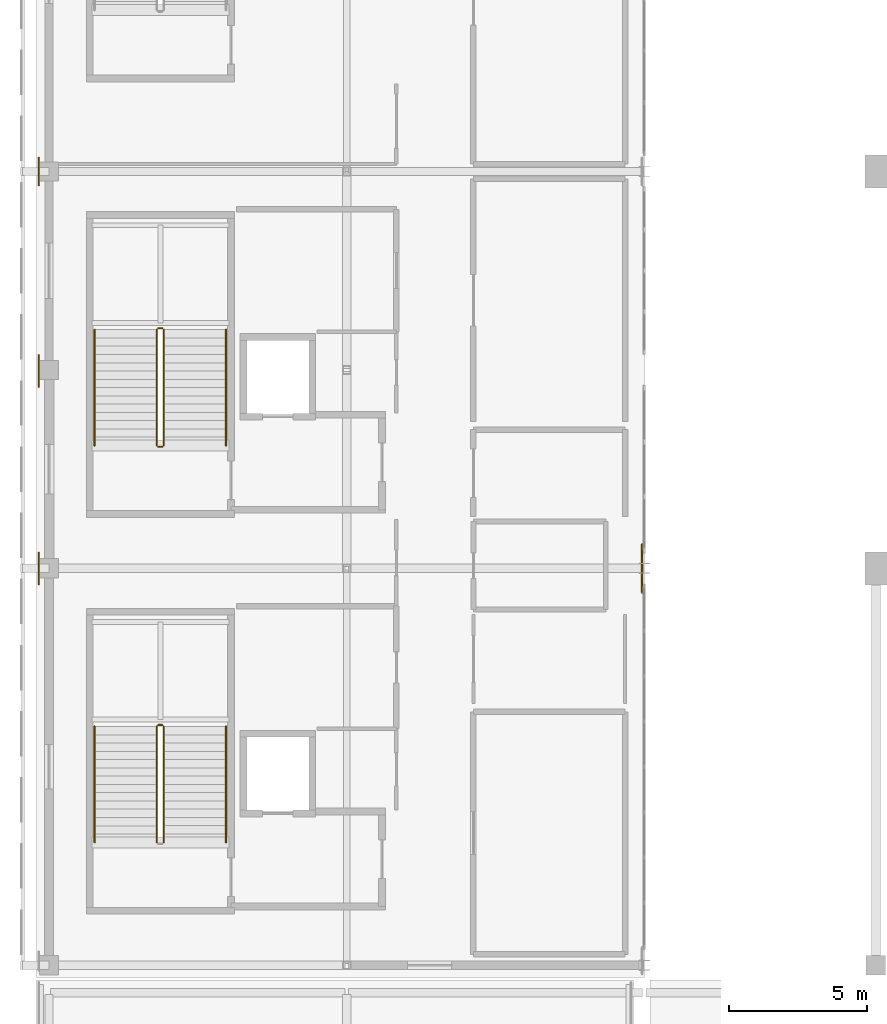
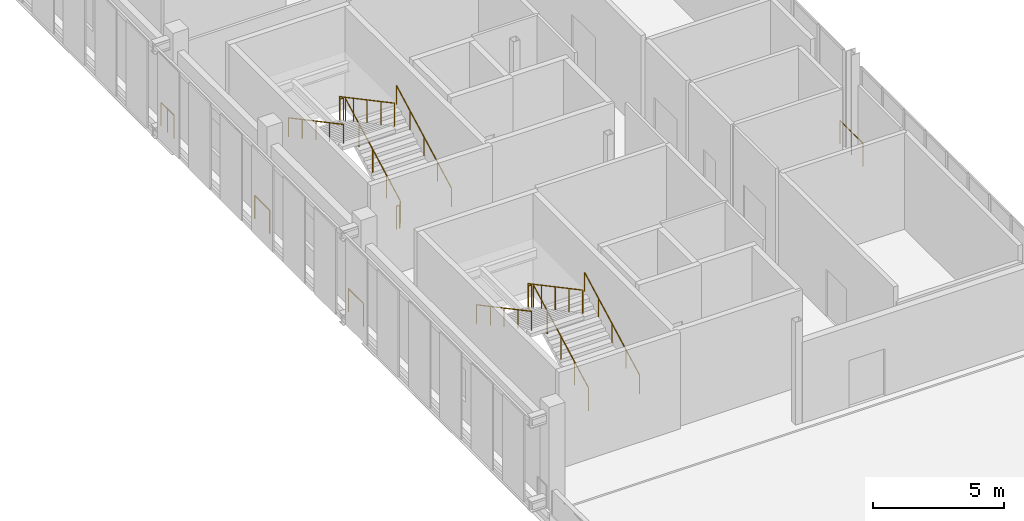
# One storey, part 43 of 51: 16 railings.
"""IFC4 building model written with IfcOpenShell, lengths in metres."""

from ifc_helpers import new_model, si_unit, direction, frame, origin, origin_2d, place, context, subcontext, project, spatial, circle, extrude, material, type_object, element, save


model = new_model("IFC4")

# Units and contexts
model_context = context("Model", 3, precision=1e-05, world=origin(), true_north=direction((0.0, 1.0)))
body_context = subcontext(model_context, "Body", "Model", "MODEL_VIEW")
ifc_project = project(units=[si_unit("LENGTHUNIT", "METRE"), si_unit("AREAUNIT", "SQUARE_METRE"), si_unit("VOLUMEUNIT", "CUBIC_METRE"), si_unit("PLANEANGLEUNIT", "RADIAN"), si_unit("MASSUNIT", "GRAM", prefix="KILO")], contexts=[model_context])

# Site, building, storey
site_placement = place(None, origin())
site = spatial("IfcSite", under=ifc_project, at=site_placement, CompositionType="ELEMENT")
building_placement = place(site_placement, origin())
building = spatial("IfcBuilding", under=site, at=building_placement, Name="Koshinbarg Plaza Stadium", CompositionType="ELEMENT")
storey_placement = place(building_placement, frame((0.0, 0.0, 24.60009765625)))
storey = spatial("IfcBuildingStorey", under=building, at=storey_placement, Name="L05", CompositionType="ELEMENT", Elevation=24.60009765625)

# Railings
ifc_material_1 = material(Name="Toughened laminated glass and stainless steel sightline balustrade", Category="steel")
railing_type_1 = type_object("IfcRailingType", Name="RL-BOWL-1100", PredefinedType="BALUSTRADE", material=ifc_material_1)
for number, where, name in (
    (1, (24.22509765625, 39.3232421875, 0.0), "L05 deck edge safety balustrade 0347"),
    (2, (24.22509765625, 46.48779296875, 0.0), "L05 deck edge safety balustrade 0348"),
):
    element("IfcRailing", number, at=place(storey_placement, frame(where)), inside=storey, type_object=railing_type_1, Name=name, PredefinedType="BALUSTRADE", context=body_context, shape_type="SweptSolid", body=[
        extrude(circle(Radius=0.02392578125, at=origin_2d()), frame((0.0, 0.0, 1.076171875), z_axis=(0.0, 1.0, 0.0), x_axis=(-1.0, 0.0, 0.0)), (0.0, 0.0, 1.0), 1.146240234375),
        extrude(circle(Radius=0.02099609375, at=origin_2d()), origin(), (0.0, 0.0, 1.0), 1.052001953125),
        extrude(circle(Radius=0.02099609375, at=origin_2d()), frame((0.0, 1.146240234375, 0.0)), (0.0, 0.0, 1.0), 1.052001953125),
    ])
railing_1_placement = place(storey_placement, frame((24.22509765625, 53.801513671875, 0.0)))
element("IfcRailing", 3, at=railing_1_placement, inside=storey, type_object=railing_type_1, Name="L05 deck edge safety balustrade 0349", PredefinedType="BALUSTRADE", context=body_context, shape_type="SweptSolid", body=[
    extrude(circle(Radius=0.02392578125, at=origin_2d()), frame((0.0, 0.0, 1.076171875), z_axis=(0.0, 1.0, 0.0), x_axis=(-1.0, 0.0, 0.0)), (0.0, 0.0, 1.0), 0.49853515625),
    extrude(circle(Radius=0.02099609375, at=origin_2d()), origin(), (0.0, 0.0, 1.0), 1.052001953125),
    extrude(circle(Radius=0.02099609375, at=origin_2d()), frame((0.0, 0.49853515625, 0.0)), (0.0, 0.0, 1.0), 1.052001953125),
])
railing_2_placement = place(storey_placement, frame((46.1201171875, 40.76806640625, 0.0)))
element("IfcRailing", 4, at=railing_2_placement, inside=storey, type_object=railing_type_1, Name="L05 deck edge safety balustrade 0351", PredefinedType="BALUSTRADE", context=body_context, shape_type="SweptSolid", body=[
    extrude(circle(Radius=0.02392578125, at=origin_2d()), frame((0.0, 0.0, 1.076171875), z_axis=(0.0, -1.0, 0.0), x_axis=(1.0, 0.0, 0.0)), (0.0, 0.0, 1.0), 1.743408203125),
    extrude(circle(Radius=0.02099609375, at=origin_2d()), origin(), (0.0, 0.0, 1.0), 1.052001953125),
    extrude(circle(Radius=0.02099609375, at=origin_2d()), frame((0.0, -0.87158203125, 0.0)), (0.0, 0.0, 1.0), 1.052001953125),
    extrude(circle(Radius=0.02099609375, at=origin_2d()), frame((0.0, -1.743408203125, 0.0)), (0.0, 0.0, 1.0), 1.052001953125),
])
railing_3_placement = place(storey_placement, frame((24.22509765625, 54.300048828125, 0.0)))
element("IfcRailing", 5, at=railing_3_placement, inside=storey, type_object=railing_type_1, Name="L05 deck edge safety balustrade 0353", PredefinedType="BALUSTRADE", context=body_context, shape_type="SweptSolid", body=[
    extrude(circle(Radius=0.02392578125, at=origin_2d()), frame((0.0, 0.0, 1.076171875), z_axis=(0.0, 1.0, 0.0), x_axis=(-1.0, 0.0, 0.0)), (0.0, 0.0, 1.0), 0.5),
    extrude(circle(Radius=0.02099609375, at=origin_2d()), origin(), (0.0, 0.0, 1.0), 1.052001953125),
    extrude(circle(Radius=0.02099609375, at=origin_2d()), frame((0.0, 0.5, 0.0)), (0.0, 0.0, 1.0), 1.052001953125),
])
ifc_material_2 = material(Name="Galvanized painted steel guardrail", Category="steel")
railing_type_2 = type_object("IfcRailingType", Name="RL-GUARD-1100", PredefinedType="GUARDRAIL", material=ifc_material_2)
railing_4_placement = place(storey_placement, frame((28.760009765625, 29.9599609375, 0.159912109375)))
element("IfcRailing", 6, at=railing_4_placement, inside=storey, type_object=railing_type_2, Name="L05 C01 stair guard 1", PredefinedType="GUARDRAIL", context=body_context, shape_type="SweptSolid", body=[
    extrude(circle(Radius=0.02392578125, at=origin_2d()), frame((0.0, 0.0, 1.076171875), z_axis=(0.0, 0.882351521365, 0.470590897432), x_axis=(-1.0, 0.0, 0.0)), (0.0, 0.0, 1.0), 4.760009765625),
    extrude(circle(Radius=0.02099609375, at=origin_2d()), origin(), (0.0, 0.0, 1.0), 1.052001953125),
    extrude(circle(Radius=0.02099609375, at=origin_2d()), frame((0.0, 1.050048828125, 0.56005859375)), (0.0, 0.0, 1.0), 1.052001953125),
    extrude(circle(Radius=0.02099609375, at=origin_2d()), frame((0.0, 2.10009765625, 1.1201171875)), (0.0, 0.0, 1.0), 1.052001953125),
    extrude(circle(Radius=0.02099609375, at=origin_2d()), frame((0.0, 3.14990234375, 1.679931640625)), (0.0, 0.0, 1.0), 1.052001953125),
    extrude(circle(Radius=0.02099609375, at=origin_2d()), frame((0.0, 4.199951171875, 2.239990234375)), (0.0, 0.0, 1.0), 1.052001953125),
])
railing_5_placement = place(storey_placement, frame((28.7099609375, 34.2099609375, 2.39990234375)))
element("IfcRailing", 7, at=railing_5_placement, inside=storey, type_object=railing_type_2, Name="L05 C01 stair guard 2", PredefinedType="GUARDRAIL", context=body_context, shape_type="SweptSolid", body=[
    extrude(circle(Radius=0.02392578125, at=origin_2d()), frame((0.0, 0.0, 1.076171875), z_axis=(-1.0, 0.0, 0.0), x_axis=(0.0, -1.0, 0.0)), (0.0, 0.0, 1.0), 0.14990234375),
    extrude(circle(Radius=0.02099609375, at=origin_2d()), origin(), (0.0, 0.0, 1.0), 1.052001953125),
    extrude(circle(Radius=0.02099609375, at=origin_2d()), frame((-0.14990234375, 0.0, 0.0)), (0.0, 0.0, 1.0), 1.052001953125),
])
railing_6_placement = place(storey_placement, frame((28.510009765625, 34.159912109375, 2.559814453125)))
element("IfcRailing", 8, at=railing_6_placement, inside=storey, type_object=railing_type_2, Name="L05 C01 stair guard 3", PredefinedType="GUARDRAIL", context=body_context, shape_type="SweptSolid", body=[
    extrude(circle(Radius=0.02392578125, at=origin_2d()), frame((0.0, 0.0, 1.076171875), z_axis=(0.0, -0.882351521365, 0.470590897432), x_axis=(1.0, 0.0, 0.0)), (0.0, 0.0, 1.0), 4.760009765625),
    extrude(circle(Radius=0.02099609375, at=origin_2d()), origin(), (0.0, 0.0, 1.0), 1.052001953125),
    extrude(circle(Radius=0.02099609375, at=origin_2d()), frame((0.0, -1.050048828125, 0.56005859375)), (0.0, 0.0, 1.0), 1.052001953125),
    extrude(circle(Radius=0.02099609375, at=origin_2d()), frame((0.0, -2.10009765625, 1.1201171875)), (0.0, 0.0, 1.0), 1.052001953125),
    extrude(circle(Radius=0.02099609375, at=origin_2d()), frame((0.0, -3.14990234375, 1.679931640625)), (0.0, 0.0, 1.0), 1.052001953125),
    extrude(circle(Radius=0.02099609375, at=origin_2d()), frame((0.0, -4.199951171875, 2.239990234375)), (0.0, 0.0, 1.0), 1.052001953125),
])
railing_7_placement = place(storey_placement, frame((28.760009765625, 44.360107421875, 0.159912109375)))
element("IfcRailing", 9, at=railing_7_placement, inside=storey, type_object=railing_type_2, Name="L05 C02 stair guard 1", PredefinedType="GUARDRAIL", context=body_context, shape_type="SweptSolid", body=[
    extrude(circle(Radius=0.02392578125, at=origin_2d()), frame((0.0, 0.0, 1.076171875), z_axis=(0.0, 0.882351521365, 0.470590897432), x_axis=(-1.0, 0.0, 0.0)), (0.0, 0.0, 1.0), 4.760009765625),
    extrude(circle(Radius=0.02099609375, at=origin_2d()), origin(), (0.0, 0.0, 1.0), 1.052001953125),
    extrude(circle(Radius=0.02099609375, at=origin_2d()), frame((0.0, 1.050048828125, 0.56005859375)), (0.0, 0.0, 1.0), 1.052001953125),
    extrude(circle(Radius=0.02099609375, at=origin_2d()), frame((0.0, 2.10009765625, 1.1201171875)), (0.0, 0.0, 1.0), 1.052001953125),
    extrude(circle(Radius=0.02099609375, at=origin_2d()), frame((0.0, 3.14990234375, 1.679931640625)), (0.0, 0.0, 1.0), 1.052001953125),
    extrude(circle(Radius=0.02099609375, at=origin_2d()), frame((0.0, 4.199951171875, 2.239990234375)), (0.0, 0.0, 1.0), 1.052001953125),
])
railing_8_placement = place(storey_placement, frame((28.7099609375, 48.610107421875, 2.39990234375)))
element("IfcRailing", 10, at=railing_8_placement, inside=storey, type_object=railing_type_2, Name="L05 C02 stair guard 2", PredefinedType="GUARDRAIL", context=body_context, shape_type="SweptSolid", body=[
    extrude(circle(Radius=0.02392578125, at=origin_2d()), frame((0.0, 0.0, 1.076171875), z_axis=(-1.0, 0.0, 0.0), x_axis=(0.0, -1.0, 0.0)), (0.0, 0.0, 1.0), 0.14990234375),
    extrude(circle(Radius=0.02099609375, at=origin_2d()), origin(), (0.0, 0.0, 1.0), 1.052001953125),
    extrude(circle(Radius=0.02099609375, at=origin_2d()), frame((-0.14990234375, 0.0, 0.0)), (0.0, 0.0, 1.0), 1.052001953125),
])
railing_9_placement = place(storey_placement, frame((28.510009765625, 48.56005859375, 2.559814453125)))
element("IfcRailing", 11, at=railing_9_placement, inside=storey, type_object=railing_type_2, Name="L05 C02 stair guard 3", PredefinedType="GUARDRAIL", context=body_context, shape_type="SweptSolid", body=[
    extrude(circle(Radius=0.02392578125, at=origin_2d()), frame((0.0, 0.0, 1.076171875), z_axis=(0.0, -0.882351521365, 0.470590897432), x_axis=(1.0, 0.0, 0.0)), (0.0, 0.0, 1.0), 4.760009765625),
    extrude(circle(Radius=0.02099609375, at=origin_2d()), origin(), (0.0, 0.0, 1.0), 1.052001953125),
    extrude(circle(Radius=0.02099609375, at=origin_2d()), frame((0.0, -1.050048828125, 0.56005859375)), (0.0, 0.0, 1.0), 1.052001953125),
    extrude(circle(Radius=0.02099609375, at=origin_2d()), frame((0.0, -2.10009765625, 1.1201171875)), (0.0, 0.0, 1.0), 1.052001953125),
    extrude(circle(Radius=0.02099609375, at=origin_2d()), frame((0.0, -3.14990234375, 1.679931640625)), (0.0, 0.0, 1.0), 1.052001953125),
    extrude(circle(Radius=0.02099609375, at=origin_2d()), frame((0.0, -4.199951171875, 2.239990234375)), (0.0, 0.0, 1.0), 1.052001953125),
])
railing_10_placement = place(storey_placement, frame((28.7099609375, 44.31005859375, 0.0)))
element("IfcRailing", 12, at=railing_10_placement, inside=storey, type_object=railing_type_2, Name="L05 C02 stair guard 4", PredefinedType="GUARDRAIL", context=body_context, shape_type="SweptSolid", body=[
    extrude(circle(Radius=0.02392578125, at=origin_2d()), frame((0.0, 0.0, 1.076171875), z_axis=(-1.0, 0.0, 0.0), x_axis=(0.0, -1.0, 0.0)), (0.0, 0.0, 1.0), 0.14990234375),
    extrude(circle(Radius=0.02099609375, at=origin_2d()), origin(), (0.0, 0.0, 1.0), 1.052001953125),
    extrude(circle(Radius=0.02099609375, at=origin_2d()), frame((-0.14990234375, 0.0, 0.0)), (0.0, 0.0, 1.0), 1.052001953125),
])
ifc_material_3 = material(Name="Brushed stainless steel handrail", Category="steel")
railing_type_3 = type_object("IfcRailingType", Name="RL-HAND-900", PredefinedType="HANDRAIL", material=ifc_material_3)
railing_11_placement = place(storey_placement, frame((31.02001953125, 29.9599609375, 0.159912109375)))
element("IfcRailing", 13, at=railing_11_placement, inside=storey, type_object=railing_type_3, Name="L05 C01 stair handrail 1", PredefinedType="HANDRAIL", context=body_context, shape_type="SweptSolid", body=[
    extrude(circle(Radius=0.02392578125, at=origin_2d()), frame((0.0, 0.0, 0.8759765625), z_axis=(0.0, 0.882351521365, 0.470590897432), x_axis=(-1.0, 0.0, 0.0)), (0.0, 0.0, 1.0), 4.760009765625),
    extrude(circle(Radius=0.02099609375, at=origin_2d()), origin(), (0.0, 0.0, 1.0), 0.851806640625),
    extrude(circle(Radius=0.02099609375, at=origin_2d()), frame((0.0, 1.050048828125, 0.56005859375)), (0.0, 0.0, 1.0), 0.851806640625),
    extrude(circle(Radius=0.02099609375, at=origin_2d()), frame((0.0, 2.10009765625, 1.1201171875)), (0.0, 0.0, 1.0), 0.851806640625),
    extrude(circle(Radius=0.02099609375, at=origin_2d()), frame((0.0, 3.14990234375, 1.679931640625)), (0.0, 0.0, 1.0), 0.851806640625),
    extrude(circle(Radius=0.02099609375, at=origin_2d()), frame((0.0, 4.199951171875, 2.239990234375)), (0.0, 0.0, 1.0), 0.851806640625),
])
railing_12_placement = place(storey_placement, frame((26.25, 34.159912109375, 2.559814453125)))
element("IfcRailing", 14, at=railing_12_placement, inside=storey, type_object=railing_type_3, Name="L05 C01 stair handrail 2", PredefinedType="HANDRAIL", context=body_context, shape_type="SweptSolid", body=[
    extrude(circle(Radius=0.02392578125, at=origin_2d()), frame((0.0, 0.0, 0.8759765625), z_axis=(0.0, -0.882351521365, 0.470590897432), x_axis=(1.0, 0.0, 0.0)), (0.0, 0.0, 1.0), 4.760009765625),
    extrude(circle(Radius=0.02099609375, at=origin_2d()), origin(), (0.0, 0.0, 1.0), 0.851806640625),
    extrude(circle(Radius=0.02099609375, at=origin_2d()), frame((0.0, -1.050048828125, 0.56005859375)), (0.0, 0.0, 1.0), 0.851806640625),
    extrude(circle(Radius=0.02099609375, at=origin_2d()), frame((0.0, -2.10009765625, 1.1201171875)), (0.0, 0.0, 1.0), 0.851806640625),
    extrude(circle(Radius=0.02099609375, at=origin_2d()), frame((0.0, -3.14990234375, 1.679931640625)), (0.0, 0.0, 1.0), 0.851806640625),
    extrude(circle(Radius=0.02099609375, at=origin_2d()), frame((0.0, -4.199951171875, 2.239990234375)), (0.0, 0.0, 1.0), 0.851806640625),
])
railing_13_placement = place(storey_placement, frame((31.02001953125, 44.360107421875, 0.159912109375)))
element("IfcRailing", 15, at=railing_13_placement, inside=storey, type_object=railing_type_3, Name="L05 C02 stair handrail 1", PredefinedType="HANDRAIL", context=body_context, shape_type="SweptSolid", body=[
    extrude(circle(Radius=0.02392578125, at=origin_2d()), frame((0.0, 0.0, 0.8759765625), z_axis=(0.0, 0.882351521365, 0.470590897432), x_axis=(-1.0, 0.0, 0.0)), (0.0, 0.0, 1.0), 4.760009765625),
    extrude(circle(Radius=0.02099609375, at=origin_2d()), origin(), (0.0, 0.0, 1.0), 0.851806640625),
    extrude(circle(Radius=0.02099609375, at=origin_2d()), frame((0.0, 1.050048828125, 0.56005859375)), (0.0, 0.0, 1.0), 0.851806640625),
    extrude(circle(Radius=0.02099609375, at=origin_2d()), frame((0.0, 2.10009765625, 1.1201171875)), (0.0, 0.0, 1.0), 0.851806640625),
    extrude(circle(Radius=0.02099609375, at=origin_2d()), frame((0.0, 3.14990234375, 1.679931640625)), (0.0, 0.0, 1.0), 0.851806640625),
    extrude(circle(Radius=0.02099609375, at=origin_2d()), frame((0.0, 4.199951171875, 2.239990234375)), (0.0, 0.0, 1.0), 0.851806640625),
])
railing_14_placement = place(storey_placement, frame((26.25, 48.56005859375, 2.559814453125)))
element("IfcRailing", 16, at=railing_14_placement, inside=storey, type_object=railing_type_3, Name="L05 C02 stair handrail 2", PredefinedType="HANDRAIL", context=body_context, shape_type="SweptSolid", body=[
    extrude(circle(Radius=0.02392578125, at=origin_2d()), frame((0.0, 0.0, 0.8759765625), z_axis=(0.0, -0.882351521365, 0.470590897432), x_axis=(1.0, 0.0, 0.0)), (0.0, 0.0, 1.0), 4.760009765625),
    extrude(circle(Radius=0.02099609375, at=origin_2d()), origin(), (0.0, 0.0, 1.0), 0.851806640625),
    extrude(circle(Radius=0.02099609375, at=origin_2d()), frame((0.0, -1.050048828125, 0.56005859375)), (0.0, 0.0, 1.0), 0.851806640625),
    extrude(circle(Radius=0.02099609375, at=origin_2d()), frame((0.0, -2.10009765625, 1.1201171875)), (0.0, 0.0, 1.0), 0.851806640625),
    extrude(circle(Radius=0.02099609375, at=origin_2d()), frame((0.0, -3.14990234375, 1.679931640625)), (0.0, 0.0, 1.0), 0.851806640625),
    extrude(circle(Radius=0.02099609375, at=origin_2d()), frame((0.0, -4.199951171875, 2.239990234375)), (0.0, 0.0, 1.0), 0.851806640625),
])

save(model, "model.ifc")
